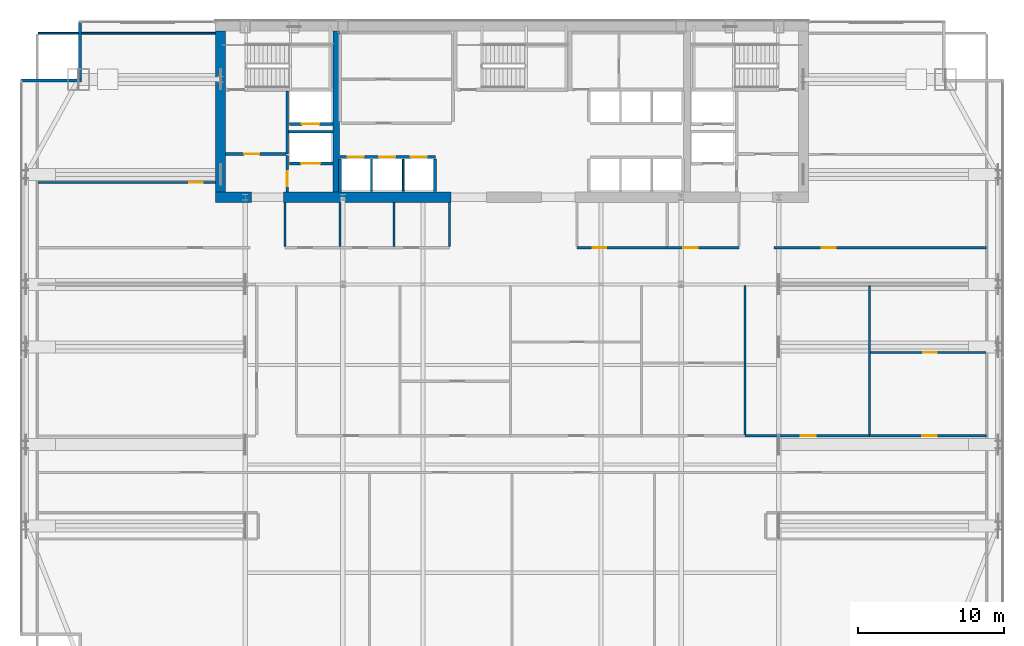
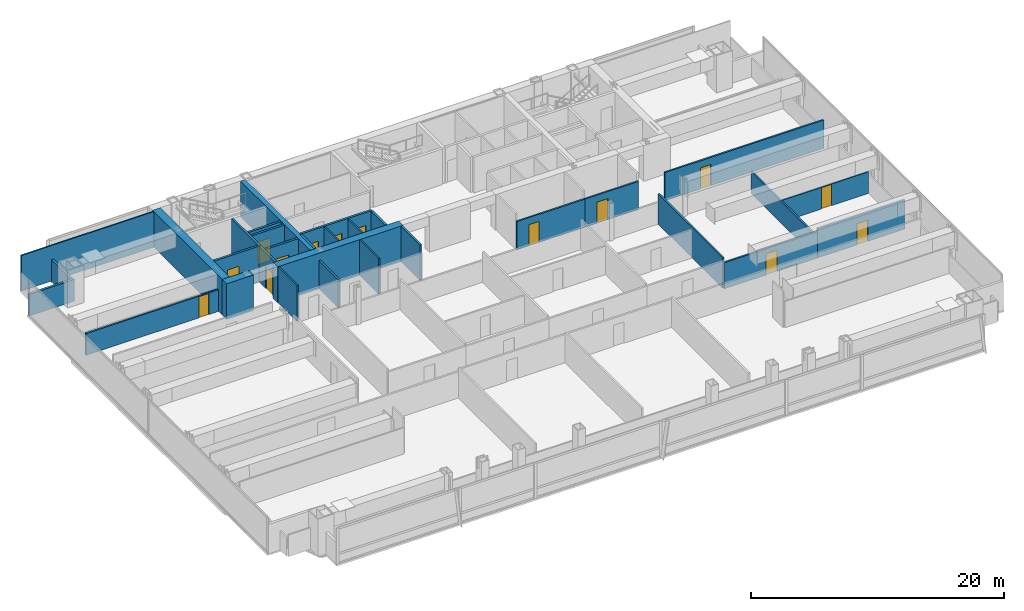
# One storey, part 26 of 30: 31 walls, 14 doors, 14 openings.
"""IFC4 building model written with IfcOpenShell, lengths in metres."""

from ifc_helpers import new_model, si_unit, direction, frame, frame_2d, origin, place, context, subcontext, project, spatial, rectangle, extrude, material, layer, layer_set, type_object, element, fill, save


model = new_model("IFC4")

# Units and contexts
model_context = context("Model", 3, precision=1e-05, world=origin(), true_north=direction((0.0, 1.0)))
body_context = subcontext(model_context, "Body", "Model", "MODEL_VIEW")
ifc_project = project(units=[si_unit("LENGTHUNIT", "METRE"), si_unit("AREAUNIT", "SQUARE_METRE"), si_unit("VOLUMEUNIT", "CUBIC_METRE"), si_unit("PLANEANGLEUNIT", "RADIAN"), si_unit("MASSUNIT", "GRAM", prefix="KILO")], contexts=[model_context])

# Site, building, storey
site_placement = place(None, origin())
site = spatial("IfcSite", under=ifc_project, at=site_placement, CompositionType="ELEMENT")
building_placement = place(site_placement, origin())
building = spatial("IfcBuilding", under=site, at=building_placement, Name="Khoronbel Lancet Exchange", CompositionType="ELEMENT")
storey_placement = place(building_placement, frame((0.0, 0.0, 132.60009765625)))
storey = spatial("IfcBuildingStorey", under=building, at=storey_placement, Name="L32", CompositionType="ELEMENT", Elevation=132.60009765625)

# Walls
ifc_material_1 = material(Name="Concrete C80/95", Category="concrete")
ifc_layer_1 = layer(ifc_material_1, 0.699951171875, Name="Concrete C80/95")
ifc_layer_set_1 = layer_set([ifc_layer_1], Name="Concrete C80/95")
wall_type_1 = type_object("IfcWallType", Name="WL-CW2", PredefinedType="SHEAR", material=ifc_layer_set_1)
wall_1_placement = place(storey_placement, frame((16.550048828125, 42.0, 0.0), z_axis=(0.0, 0.0, 1.0), x_axis=(0.0, 1.0, 0.0)))
element("IfcWall", 1, at=wall_1_placement, inside=storey, type_object=wall_type_1, Name="Level L32 rear core west shear wall", PredefinedType="SHEAR", context=body_context, shape_type="SweptSolid", body=[
    extrude(rectangle(XDim=11.0, YDim=0.699951171875, at=frame_2d((5.5, 0.0))), origin(), (0.0, 0.0, 1.0), 3.43994140625),
])
wall_2_placement = place(storey_placement, frame((18.64990234375, 41.64990234375, 0.0), z_axis=(0.0, 0.0, 1.0), x_axis=(-1.0, 0.0, 0.0)))
element("IfcWall", 2, at=wall_2_placement, inside=storey, type_object=wall_type_1, Name="Level L32 rear core south shear wall pier P1", PredefinedType="SHEAR", context=body_context, shape_type="SweptSolid", body=[
    extrude(rectangle(XDim=2.449951171875, YDim=0.699951171875, at=frame_2d((1.22509765625, 0.0))), origin(), (0.0, 0.0, 1.0), 3.43994140625),
])
wall_3_placement = place(storey_placement, frame((32.300048828125, 41.64990234375, 0.0), z_axis=(0.0, 0.0, 1.0), x_axis=(-1.0, 0.0, 0.0)))
element("IfcWall", 3, at=wall_3_placement, inside=storey, type_object=wall_type_1, Name="Level L32 rear core south shear wall pier P2", PredefinedType="SHEAR", context=body_context, shape_type="SweptSolid", body=[
    extrude(rectangle(XDim=11.449951171875, YDim=0.699951171875, at=frame_2d((5.72509765625, 0.0))), origin(), (0.0, 0.0, 1.0), 3.43994140625),
])
ifc_material_2 = material(Name="Precast concrete C40/50", Category="concrete")
ifc_layer_2 = layer(ifc_material_2, 0.25, Name="Precast concrete C40/50")
ifc_layer_set_2 = layer_set([ifc_layer_2], Name="Precast concrete C40/50")
wall_type_2 = type_object("IfcWallType", Name="WL-EXT250", PredefinedType="SOLIDWALL", material=ifc_layer_set_2)
wall_4_placement = place(storey_placement, frame((2.919921875, 49.610107421875, 0.0), z_axis=(0.0, 0.0, 1.0), x_axis=(1.0, 0.0, 0.0)))
element("IfcWall", 4, at=wall_4_placement, inside=storey, type_object=wall_type_2, Name="Level L32 notched-corner limestone pier 04", PredefinedType="SOLIDWALL", context=body_context, shape_type="SweptSolid", body=[
    extrude(rectangle(XDim=4.130126953125, YDim=0.219970703125, at=frame_2d((2.06494140625, 0.0))), origin(), (0.0, 0.0, 1.0), 2.08984375),
])
wall_5_placement = place(storey_placement, frame((6.93994140625, 49.719970703125, 0.0), z_axis=(0.0, 0.0, 1.0), x_axis=(0.0, 1.0, 0.0)))
element("IfcWall", 5, at=wall_5_placement, inside=storey, type_object=wall_type_2, Name="Level L32 notched-corner limestone pier 05", PredefinedType="SOLIDWALL", context=body_context, shape_type="SweptSolid", body=[
    extrude(rectangle(XDim=3.909912109375, YDim=0.219970703125, at=frame_2d((1.955078125, 0.0))), origin(), (0.0, 0.0, 1.0), 2.08984375),
])
ifc_material_3 = material(Name="Acoustic Metal-Stud & Mineral-Wool Gypsum Partition 120 mm", Category="gypsum")
ifc_layer_3 = layer(ifc_material_3, 0.1201171875, Name="Acoustic Metal-Stud & Mineral-Wool Gypsum Partition 120 mm")
ifc_layer_set_3 = layer_set([ifc_layer_3], Name="Acoustic Metal-Stud & Mineral-Wool Gypsum Partition 120 mm")
wall_type_3 = type_object("IfcWallType", Name="WL-PRT120", PredefinedType="PARTITIONING", material=ifc_layer_set_3)
wall_6_placement = place(storey_placement, frame((20.949951171875, 38.280029296875, 0.0), z_axis=(0.0, 0.0, 1.0), x_axis=(0.0, 1.0, 0.0)))
element("IfcWall", 6, at=wall_6_placement, inside=storey, type_object=wall_type_3, Name="Level L32 interior partition PW-WC-0", PredefinedType="PARTITIONING", context=body_context, shape_type="SweptSolid", body=[
    extrude(rectangle(XDim=3.02001953125, YDim=0.14990234375, at=frame_2d((1.510009765625, 0.0))), origin(), (0.0, 0.0, 1.0), 3.43994140625),
])
wall_7_placement = place(storey_placement, frame((24.699951171875, 38.280029296875, 0.0), z_axis=(0.0, 0.0, 1.0), x_axis=(0.0, 1.0, 0.0)))
element("IfcWall", 7, at=wall_7_placement, inside=storey, type_object=wall_type_3, Name="Level L32 interior partition PW-WC-1", PredefinedType="PARTITIONING", context=body_context, shape_type="SweptSolid", body=[
    extrude(rectangle(XDim=3.02001953125, YDim=0.14990234375, at=frame_2d((1.510009765625, 0.0))), origin(), (0.0, 0.0, 1.0), 2.72998046875),
])
for number, where, z_axis, x_axis, name in (
    (8, (28.39990234375, 38.280029296875, 0.0), (0.0, 0.0, 1.0), (0.0, 1.0, 0.0), "Level L32 interior partition PW-WC-2"),
    (9, (32.179931640625, 38.280029296875, 0.0), (0.0, 0.0, 1.0), (0.0, 1.0, 0.0), "Level L32 interior partition PW-WC-3"),
):
    element("IfcWall", number, at=place(storey_placement, frame(where, z_axis=z_axis, x_axis=x_axis)), inside=storey, type_object=wall_type_3, Name=name, PredefinedType="PARTITIONING", context=body_context, shape_type="SweptSolid", body=[
        extrude(rectangle(XDim=3.02001953125, YDim=0.14990234375, at=frame_2d((1.510009765625, 0.0))), origin(), (0.0, 0.0, 1.0), 3.43994140625),
    ])

# Wall, opening, door
wall_8_placement = place(storey_placement, frame((4.094970703125, 42.64990234375, 0.0), z_axis=(0.0, 0.0, 1.0), x_axis=(1.0, 0.0, 0.0)))
wall_8 = element("IfcWall", 10, at=wall_8_placement, inside=storey, type_object=wall_type_3, Name="Level L32 interior partition PW-NW-H", PredefinedType="PARTITIONING", context=body_context, shape_type="SweptSolid", body=[
    extrude(rectangle(XDim=12.10498046875, YDim=0.14990234375, at=frame_2d((6.052490234375, 0.0))), origin(), (0.0, 0.0, 1.0), 2.08984375),
])
opening_1_placement = place(wall_8_placement, frame((10.320068359375, 0.0, 0.0)))
opening_1 = element("IfcOpeningElement", 11, at=opening_1_placement, cuts=wall_8, Name="Opening D5", PredefinedType="OPENING", context=body_context, shape_type="SweptSolid", body=[
    extrude(rectangle(XDim=0.89990234375, YDim=2.050048828125, at=frame_2d((0.449951171875, 1.02490234375))), frame((0.0, 0.0849609375, 0.0), z_axis=(0.0, -1.0, 0.0), x_axis=(1.0, 0.0, 0.0)), (0.0, 0.0, 1.0), 0.169921875),
])
ifc_material_4 = material(Name="Acoustic Timber Pantry & Support Door", Category="wood")
door_type_1 = type_object("IfcDoorType", Name="DR-D5", OperationType="NOTDEFINED", PredefinedType="DOOR", material=ifc_material_4)
door_1_placement = place(opening_1_placement, origin())
door_1 = element("IfcDoor", 12, at=door_1_placement, inside=storey, type_object=door_type_1, Name="NW north room door L32-1", OperationType="SINGLE_SWING_RIGHT", OverallHeight=2.050048828125, OverallWidth=0.89990234375, PredefinedType="DOOR", context=body_context, shape_type="SweptSolid", body=[
    extrude(rectangle(XDim=0.89990234375, YDim=2.050048828125, at=frame_2d((0.449951171875, 1.02490234375))), frame((0.0, 0.02490234375, 0.0), z_axis=(0.0, -1.0, 0.0), x_axis=(1.0, 0.0, 0.0)), (0.0, 0.0, 1.0), 0.050048828125),
])
fill(opening_1, door_1)

wall_9_placement = place(storey_placement, frame((60.936279296875, 31.04248046875, 0.0), z_axis=(0.0, 0.0, 1.0), x_axis=(1.0, 0.0, 0.0)))
wall_9 = element("IfcWall", 13, at=wall_9_placement, inside=storey, type_object=wall_type_3, Name="Level L32 interior partition PW-Z2N-H6", PredefinedType="PARTITIONING", context=body_context, shape_type="SweptSolid", body=[
    extrude(rectangle(XDim=7.86865234375, YDim=0.14990234375, at=frame_2d((3.934326171875, 0.0))), origin(), (0.0, 0.0, 1.0), 2.08984375),
])
opening_2_placement = place(wall_9_placement, frame((3.606201171875, 0.0, 0.0)))
opening_2 = element("IfcOpeningElement", 14, at=opening_2_placement, cuts=wall_9, Name="Opening D5", PredefinedType="OPENING", context=body_context, shape_type="SweptSolid", body=[
    extrude(rectangle(XDim=0.89990234375, YDim=2.050048828125, at=frame_2d((0.449951171875, 1.02490234375))), frame((0.0, 0.0849609375, 0.0), z_axis=(0.0, -1.0, 0.0), x_axis=(1.0, 0.0, 0.0)), (0.0, 0.0, 1.0), 0.169921875),
])
door_2_placement = place(opening_2_placement, origin())
door_2 = element("IfcDoor", 15, at=door_2_placement, inside=storey, type_object=door_type_1, Name="Z2N inner door 6 L32-1", OperationType="SINGLE_SWING_RIGHT", OverallHeight=2.050048828125, OverallWidth=0.89990234375, PredefinedType="DOOR", context=body_context, shape_type="SweptSolid", body=[
    extrude(rectangle(XDim=0.89990234375, YDim=2.050048828125, at=frame_2d((0.449951171875, 1.02490234375))), frame((0.0, 0.02490234375, 0.0), z_axis=(0.0, -1.0, 0.0), x_axis=(1.0, 0.0, 0.0)), (0.0, 0.0, 1.0), 0.050048828125),
])
fill(opening_2, door_2)

# Walls
wall_10_placement = place(storey_placement, frame((4.094970703125, 52.840087890625, 0.0), z_axis=(0.0, 0.0, 1.0), x_axis=(1.0, 0.0, 0.0)))
element("IfcWall", 16, at=wall_10_placement, inside=storey, type_object=wall_type_3, Name="Level L32 interior partition PW-LIN-NW", PredefinedType="PARTITIONING", context=body_context, shape_type="SweptSolid", body=[
    extrude(rectangle(XDim=12.10498046875, YDim=0.1201171875, at=frame_2d((6.052490234375, 0.0))), origin(), (0.0, 0.0, 1.0), 3.43994140625),
])
ifc_material_5 = material(Name="Fire-Rated Metal-Stud & Mineral-Wool Gypsum Partition 120 mm", Category="gypsum")
ifc_layer_4 = layer(ifc_material_5, 0.1201171875, Name="Fire-Rated Metal-Stud & Mineral-Wool Gypsum Partition 120 mm")
ifc_layer_set_4 = layer_set([ifc_layer_4], Name="Fire-Rated Metal-Stud & Mineral-Wool Gypsum Partition 120 mm")
wall_type_4 = type_object("IfcWallType", Name="WL-PRT120F", PredefinedType="PARTITIONING", material=ifc_layer_set_4)
for number, where, z_axis, x_axis, name in (
    (17, (26.860107421875, 42.050048828125, 0.0), (0.0, 0.0, 1.0), (0.0, 1.0, 0.0), "Level L32 interior partition CW-PM-D1"),
    (18, (29.02001953125, 42.050048828125, 0.0), (0.0, 0.0, 1.0), (0.0, 1.0, 0.0), "Level L32 interior partition CW-PM-D2"),
):
    element("IfcWall", number, at=place(storey_placement, frame(where, z_axis=z_axis, x_axis=x_axis)), inside=storey, type_object=wall_type_4, Name=name, PredefinedType="PARTITIONING", context=body_context, shape_type="SweptSolid", body=[
        extrude(rectangle(XDim=2.199951171875, YDim=0.1201171875, at=frame_2d((1.10009765625, 0.0))), origin(), (0.0, 0.0, 1.0), 3.43994140625),
    ])

# Wall, opening, door
ifc_material_6 = material(Name="Fire-Rated Twin-Stud Acoustic Gypsum Partition 150 mm", Category="gypsum")
ifc_layer_5 = layer(ifc_material_6, 0.14990234375, Name="Fire-Rated Twin-Stud Acoustic Gypsum Partition 150 mm")
ifc_layer_set_5 = layer_set([ifc_layer_5], Name="Fire-Rated Twin-Stud Acoustic Gypsum Partition 150 mm")
wall_type_5 = type_object("IfcWallType", Name="WL-PRT150C", PredefinedType="PARTITIONING", material=ifc_layer_set_5)
wall_11_placement = place(storey_placement, frame((40.8798828125, 38.199951171875, 0.0), z_axis=(0.0, 0.0, 1.0), x_axis=(1.0, 0.0, 0.0)))
wall_11 = element("IfcWall", 19, at=wall_11_placement, inside=storey, type_object=wall_type_5, Name="Level L32 interior partition PW-NP-S1", PredefinedType="PARTITIONING", context=body_context, shape_type="SweptSolid", body=[
    extrude(rectangle(XDim=6.170166015625, YDim=0.14990234375, at=frame_2d((3.0849609375, 0.0))), origin(), (0.0, 0.0, 1.0), 2.72998046875),
])
opening_3_placement = place(wall_11_placement, frame((1.10009765625, 0.0, 0.0)))
opening_3 = element("IfcOpeningElement", 20, at=opening_3_placement, cuts=wall_11, Name="Opening D5", PredefinedType="OPENING", context=body_context, shape_type="SweptSolid", body=[
    extrude(rectangle(XDim=0.89990234375, YDim=2.050048828125, at=frame_2d((0.449951171875, 1.02490234375))), frame((0.0, 0.0849609375, 0.0), z_axis=(0.0, -1.0, 0.0), x_axis=(1.0, 0.0, 0.0)), (0.0, 0.0, 1.0), 0.169921875),
])
door_3_placement = place(opening_3_placement, origin())
door_3 = element("IfcDoor", 21, at=door_3_placement, inside=storey, type_object=door_type_1, Name="Floor refreshment pantry door L32-1", OperationType="SINGLE_SWING_RIGHT", OverallHeight=2.050048828125, OverallWidth=0.89990234375, PredefinedType="DOOR", context=body_context, shape_type="SweptSolid", body=[
    extrude(rectangle(XDim=0.89990234375, YDim=2.050048828125, at=frame_2d((0.449951171875, 1.02490234375))), frame((0.0, 0.02490234375, 0.0), z_axis=(0.0, -1.0, 0.0), x_axis=(1.0, 0.0, 0.0)), (0.0, 0.0, 1.0), 0.050048828125),
])
fill(opening_3, door_3)

wall_12_placement = place(storey_placement, frame((47.050048828125, 38.199951171875, 0.0), z_axis=(0.0, 0.0, 1.0), x_axis=(1.0, 0.0, 0.0)))
wall_12 = element("IfcWall", 22, at=wall_12_placement, inside=storey, type_object=wall_type_5, Name="Level L32 interior partition PW-NP-S2", PredefinedType="PARTITIONING", context=body_context, shape_type="SweptSolid", body=[
    extrude(rectangle(XDim=4.89990234375, YDim=0.14990234375, at=frame_2d((2.449951171875, 0.0))), origin(), (0.0, 0.0, 1.0), 2.72998046875),
])
opening_4_placement = place(wall_12_placement, frame((1.10009765625, 0.0, 0.0)))
opening_4 = element("IfcOpeningElement", 23, at=opening_4_placement, cuts=wall_12, Name="Opening D2", PredefinedType="OPENING", context=body_context, shape_type="SweptSolid", body=[
    extrude(rectangle(XDim=1.0, YDim=2.050048828125, at=frame_2d((0.5, 1.02490234375))), frame((0.0, 0.0849609375, 0.0), z_axis=(0.0, -1.0, 0.0), x_axis=(1.0, 0.0, 0.0)), (0.0, 0.0, 1.0), 0.169921875),
])
ifc_material_7 = material(Name="Acoustic Veneered Timber & Bronze Frame Door", Category="wood")
door_type_2 = type_object("IfcDoorType", Name="DR-D2", OperationType="NOTDEFINED", PredefinedType="DOOR", material=ifc_material_7)
door_4_placement = place(opening_4_placement, origin())
door_4 = element("IfcDoor", 24, at=door_4_placement, inside=storey, type_object=door_type_2, Name="Floor store door L32-1", OperationType="SINGLE_SWING_LEFT", OverallHeight=2.050048828125, OverallWidth=1.0, PredefinedType="DOOR", context=body_context, shape_type="SweptSolid", body=[
    extrude(rectangle(XDim=1.0, YDim=2.050048828125, at=frame_2d((0.5, 1.02490234375))), frame((0.0, 0.02490234375, 0.0), z_axis=(0.0, -1.0, 0.0), x_axis=(1.0, 0.0, 0.0)), (0.0, 0.0, 1.0), 0.050048828125),
])
fill(opening_4, door_4)

wall_13_placement = place(storey_placement, frame((54.35009765625, 38.199951171875, 0.0), z_axis=(0.0, 0.0, 1.0), x_axis=(1.0, 0.0, 0.0)))
wall_13 = element("IfcWall", 25, at=wall_13_placement, inside=storey, type_object=wall_type_5, Name="Level L32 interior partition PW-NE-S", PredefinedType="PARTITIONING", context=body_context, shape_type="SweptSolid", body=[
    extrude(rectangle(XDim=14.52001953125, YDim=0.14990234375, at=frame_2d((7.260009765625, 0.0))), origin(), (0.0, 0.0, 1.0), 2.72998046875),
])
opening_5_placement = place(wall_13_placement, frame((3.25, 0.0, 0.0)))
opening_5 = element("IfcOpeningElement", 26, at=opening_5_placement, cuts=wall_13, Name="Opening D1", PredefinedType="OPENING", context=body_context, shape_type="SweptSolid", body=[
    extrude(rectangle(XDim=0.949951171875, YDim=2.050048828125, at=frame_2d((0.47509765625, 1.02490234375))), frame((0.0, 0.0849609375, 0.0), z_axis=(0.0, -1.0, 0.0), x_axis=(1.0, 0.0, 0.0)), (0.0, 0.0, 1.0), 0.169921875),
])
door_type_3 = type_object("IfcDoorType", Name="DR-D1", OperationType="NOTDEFINED", PredefinedType="DOOR", material=ifc_material_7)
door_5_placement = place(opening_5_placement, origin())
door_5 = element("IfcDoor", 27, at=door_5_placement, inside=storey, type_object=door_type_3, Name="NE corner room door L32-1", OperationType="SINGLE_SWING_LEFT", OverallHeight=2.050048828125, OverallWidth=0.949951171875, PredefinedType="DOOR", context=body_context, shape_type="SweptSolid", body=[
    extrude(rectangle(XDim=0.949951171875, YDim=2.050048828125, at=frame_2d((0.47509765625, 1.02490234375))), frame((0.0, 0.02490234375, 0.0), z_axis=(0.0, -1.0, 0.0), x_axis=(1.0, 0.0, 0.0)), (0.0, 0.0, 1.0), 0.050048828125),
])
fill(opening_5, door_5)

# Walls
wall_14_placement = place(storey_placement, frame((52.37109375, 25.43505859375, 0.0), z_axis=(0.0, 0.0, 1.0), x_axis=(0.0, 1.0, 0.0)))
element("IfcWall", 28, at=wall_14_placement, inside=storey, type_object=wall_type_5, Name="Level L32 interior partition PW-Z2N-V4", PredefinedType="PARTITIONING", context=body_context, shape_type="SweptSolid", body=[
    extrude(rectangle(XDim=10.18505859375, YDim=0.14990234375, at=frame_2d((5.092529296875, 0.0))), origin(), (0.0, 0.0, 1.0), 2.929931640625),
])
wall_15_placement = place(storey_placement, frame((60.856201171875, 25.43505859375, 0.0), z_axis=(0.0, 0.0, 1.0), x_axis=(0.0, 1.0, 0.0)))
element("IfcWall", 29, at=wall_15_placement, inside=storey, type_object=wall_type_5, Name="Level L32 interior partition PW-Z2N-V5", PredefinedType="PARTITIONING", context=body_context, shape_type="SweptSolid", body=[
    extrude(rectangle(XDim=10.18505859375, YDim=0.14990234375, at=frame_2d((5.092529296875, 0.0))), origin(), (0.0, 0.0, 1.0), 2.10986328125),
])

# Wall, opening, door
ifc_material_8 = material(Name="Fire-Rated Twin-Stud Acoustic Gypsum Partition 160 mm", Category="gypsum")
ifc_layer_6 = layer(ifc_material_8, 0.159912109375, Name="Fire-Rated Twin-Stud Acoustic Gypsum Partition 160 mm")
ifc_layer_set_6 = layer_set([ifc_layer_6], Name="Fire-Rated Twin-Stud Acoustic Gypsum Partition 160 mm")
wall_type_6 = type_object("IfcWallType", Name="WL-PRT160C", PredefinedType="PARTITIONING", material=ifc_layer_set_6)
wall_16_placement = place(storey_placement, frame((52.37109375, 25.35009765625, 0.0), z_axis=(0.0, 0.0, 1.0), x_axis=(1.0, 0.0, 0.0)))
wall_16 = element("IfcWall", 30, at=wall_16_placement, inside=storey, type_object=wall_type_6, Name="Level L32 interior partition PW-Z2N-COR5", PredefinedType="PARTITIONING", context=body_context, shape_type="SweptSolid", body=[
    extrude(rectangle(XDim=8.485107421875, YDim=0.159912109375, at=frame_2d((4.24267578125, 0.0))), origin(), (0.0, 0.0, 1.0), 2.52978515625),
])
opening_6_placement = place(wall_16_placement, frame((3.813720703125, 0.0, 0.0)))
opening_6 = element("IfcOpeningElement", 31, at=opening_6_placement, cuts=wall_16, Name="Opening D2", PredefinedType="OPENING", context=body_context, shape_type="SweptSolid", body=[
    extrude(rectangle(XDim=1.0, YDim=2.050048828125, at=frame_2d((0.5, 1.02490234375))), frame((0.0, 0.08984375, 0.0), z_axis=(0.0, -1.0, 0.0), x_axis=(1.0, 0.0, 0.0)), (0.0, 0.0, 1.0), 0.179931640625),
])
door_6_placement = place(opening_6_placement, origin())
door_6 = element("IfcDoor", 32, at=door_6_placement, inside=storey, type_object=door_type_2, Name="Z2N bay 5 door L32-1", OperationType="SINGLE_SWING_RIGHT", OverallHeight=2.050048828125, OverallWidth=1.0, PredefinedType="DOOR", context=body_context, shape_type="SweptSolid", body=[
    extrude(rectangle(XDim=1.0, YDim=2.050048828125, at=frame_2d((0.5, 1.02490234375))), frame((0.0, 0.02490234375, 0.0), z_axis=(0.0, -1.0, 0.0), x_axis=(1.0, 0.0, 0.0)), (0.0, 0.0, 1.0), 0.050048828125),
])
fill(opening_6, door_6)

wall_17_placement = place(storey_placement, frame((60.856201171875, 25.35009765625, 0.0), z_axis=(0.0, 0.0, 1.0), x_axis=(1.0, 0.0, 0.0)))
wall_17 = element("IfcWall", 33, at=wall_17_placement, inside=storey, type_object=wall_type_6, Name="Level L32 interior partition PW-Z2N-COR6", PredefinedType="PARTITIONING", context=body_context, shape_type="SweptSolid", body=[
    extrude(rectangle(XDim=8.013916015625, YDim=0.159912109375, at=frame_2d((4.0068359375, 0.0))), origin(), (0.0, 0.0, 1.0), 2.829833984375),
])
opening_7_placement = place(wall_17_placement, frame((3.61572265625, 0.0, 0.0)))
opening_7 = element("IfcOpeningElement", 34, at=opening_7_placement, cuts=wall_17, Name="Opening D2", PredefinedType="OPENING", context=body_context, shape_type="SweptSolid", body=[
    extrude(rectangle(XDim=1.0, YDim=2.050048828125, at=frame_2d((0.5, 1.02490234375))), frame((0.0, 0.08984375, 0.0), z_axis=(0.0, -1.0, 0.0), x_axis=(1.0, 0.0, 0.0)), (0.0, 0.0, 1.0), 0.179931640625),
])
door_7_placement = place(opening_7_placement, origin())
door_7 = element("IfcDoor", 35, at=door_7_placement, inside=storey, type_object=door_type_2, Name="Z2N bay 6 door L32-1", OperationType="SINGLE_SWING_LEFT", OverallHeight=2.050048828125, OverallWidth=1.0, PredefinedType="DOOR", context=body_context, shape_type="SweptSolid", body=[
    extrude(rectangle(XDim=1.0, YDim=2.050048828125, at=frame_2d((0.5, 1.02490234375))), frame((0.0, 0.02490234375, 0.0), z_axis=(0.0, -1.0, 0.0), x_axis=(1.0, 0.0, 0.0)), (0.0, 0.0, 1.0), 0.050048828125),
])
fill(opening_7, door_7)

# Wall, openings, doors
ifc_material_9 = material(Name="Autoclaved Aerated Concrete Blockwork 200 mm", Category="masonry")
ifc_layer_7 = layer(ifc_material_9, 0.199951171875, Name="Autoclaved Aerated Concrete Blockwork 200 mm")
ifc_layer_set_7 = layer_set([ifc_layer_7], Name="Autoclaved Aerated Concrete Blockwork 200 mm")
wall_type_7 = type_object("IfcWallType", Name="WL-PRT200", PredefinedType="PARTITIONING", material=ifc_layer_set_7)
wall_18_placement = place(storey_placement, frame((24.68994140625, 44.39990234375, 0.0), z_axis=(0.0, 0.0, 1.0), x_axis=(1.0, 0.0, 0.0)))
wall_18 = element("IfcWall", 36, at=wall_18_placement, inside=storey, type_object=wall_type_7, Name="Level L32 elevator hoistway landing front wall PMW", PredefinedType="PARTITIONING", context=body_context, shape_type="SweptSolid", body=[
    extrude(rectangle(XDim=6.530029296875, YDim=0.199951171875, at=frame_2d((3.26513671875, 0.0))), origin(), (0.0, 0.0, 1.0), 3.43994140625),
])
opening_8_placement = place(wall_18_placement, frame((0.530029296875, 0.0, 0.0)))
opening_8 = element("IfcOpeningElement", 37, at=opening_8_placement, cuts=wall_18, Name="Opening LD-PM1", PredefinedType="OPENING", context=body_context, shape_type="SweptSolid", body=[
    extrude(rectangle(XDim=1.10009765625, YDim=2.179931640625, at=frame_2d((0.550048828125, 1.08984375))), frame((0.0, 0.10986328125, 0.0), z_axis=(0.0, -1.0, 0.0), x_axis=(1.0, 0.0, 0.0)), (0.0, 0.0, 1.0), 0.219970703125),
])
opening_9_placement = place(wall_18_placement, frame((2.68994140625, 0.0, 0.0)))
opening_9 = element("IfcOpeningElement", 38, at=opening_9_placement, cuts=wall_18, Name="Opening LD-PM2", PredefinedType="OPENING", context=body_context, shape_type="SweptSolid", body=[
    extrude(rectangle(XDim=1.10009765625, YDim=2.179931640625, at=frame_2d((0.550048828125, 1.08984375))), frame((0.0, 0.10986328125, 0.0), z_axis=(0.0, -1.0, 0.0), x_axis=(1.0, 0.0, 0.0)), (0.0, 0.0, 1.0), 0.219970703125),
])
opening_10_placement = place(wall_18_placement, frame((4.85009765625, 0.0, 0.0)))
opening_10 = element("IfcOpeningElement", 39, at=opening_10_placement, cuts=wall_18, Name="Opening LD-PM3", PredefinedType="OPENING", context=body_context, shape_type="SweptSolid", body=[
    extrude(rectangle(XDim=1.10009765625, YDim=2.179931640625, at=frame_2d((0.550048828125, 1.08984375))), frame((0.0, 0.10986328125, 0.0), z_axis=(0.0, -1.0, 0.0), x_axis=(1.0, 0.0, 0.0)), (0.0, 0.0, 1.0), 0.219970703125),
])
ifc_material_10 = material(Name="Brushed Bronze Bi-Parting Elevator Landing Door", Category="steel")
door_type_4 = type_object("IfcDoorType", Name="DR-LD-PAX", OperationType="NOTDEFINED", PredefinedType="DOOR", material=ifc_material_10)
door_8_placement = place(opening_8_placement, origin())
door_8 = element("IfcDoor", 40, at=door_8_placement, inside=storey, type_object=door_type_4, Name="Elevator landing sliding door LD-PM1 L32", OperationType="SLIDING_TO_LEFT", OverallHeight=2.179931640625, OverallWidth=1.10009765625, PredefinedType="DOOR", context=body_context, shape_type="SweptSolid", body=[
    extrude(rectangle(XDim=1.10009765625, YDim=2.179931640625, at=frame_2d((0.550048828125, 1.08984375))), frame((0.0, 0.02490234375, 0.0), z_axis=(0.0, -1.0, 0.0), x_axis=(1.0, 0.0, 0.0)), (0.0, 0.0, 1.0), 0.050048828125),
])
fill(opening_8, door_8)
door_9_placement = place(opening_9_placement, origin())
door_9 = element("IfcDoor", 41, at=door_9_placement, inside=storey, type_object=door_type_4, Name="Elevator landing sliding door LD-PM2 L32", OperationType="SLIDING_TO_LEFT", OverallHeight=2.179931640625, OverallWidth=1.10009765625, PredefinedType="DOOR", context=body_context, shape_type="SweptSolid", body=[
    extrude(rectangle(XDim=1.10009765625, YDim=2.179931640625, at=frame_2d((0.550048828125, 1.08984375))), frame((0.0, 0.02490234375, 0.0), z_axis=(0.0, -1.0, 0.0), x_axis=(1.0, 0.0, 0.0)), (0.0, 0.0, 1.0), 0.050048828125),
])
fill(opening_9, door_9)
door_10_placement = place(opening_10_placement, origin())
door_10 = element("IfcDoor", 42, at=door_10_placement, inside=storey, type_object=door_type_4, Name="Elevator landing sliding door LD-PM3 L32", OperationType="SLIDING_TO_LEFT", OverallHeight=2.179931640625, OverallWidth=1.10009765625, PredefinedType="DOOR", context=body_context, shape_type="SweptSolid", body=[
    extrude(rectangle(XDim=1.10009765625, YDim=2.179931640625, at=frame_2d((0.550048828125, 1.08984375))), frame((0.0, 0.02490234375, 0.0), z_axis=(0.0, -1.0, 0.0), x_axis=(1.0, 0.0, 0.0)), (0.0, 0.0, 1.0), 0.050048828125),
])
fill(opening_10, door_10)

# Wall, opening, door
wall_19_placement = place(storey_placement, frame((24.2099609375, 43.949951171875, 0.0), z_axis=(0.0, 0.0, 1.0), x_axis=(-1.0, 0.0, 0.0)))
wall_19 = element("IfcWall", 43, at=wall_19_placement, inside=storey, type_object=wall_type_7, Name="Level L32 elevator hoistway landing front wall SVLW", PredefinedType="PARTITIONING", context=body_context, shape_type="SweptSolid", body=[
    extrude(rectangle(XDim=2.969970703125, YDim=0.199951171875, at=frame_2d((1.48486328125, 0.0))), origin(), (0.0, 0.0, 1.0), 3.43994140625),
])
opening_11_placement = place(wall_19_placement, frame((0.860107421875, 0.0, 0.0)))
opening_11 = element("IfcOpeningElement", 44, at=opening_11_placement, cuts=wall_19, Name="Opening LD-SVL1", PredefinedType="OPENING", context=body_context, shape_type="SweptSolid", body=[
    extrude(rectangle(XDim=1.300048828125, YDim=2.179931640625, at=frame_2d((0.64990234375, 1.08984375))), frame((0.0, 0.10986328125, 0.0), z_axis=(0.0, -1.0, 0.0), x_axis=(1.0, 0.0, 0.0)), (0.0, 0.0, 1.0), 0.219970703125),
])
ifc_material_11 = material(Name="Heavy-Duty Bi-Parting Goods Lift Landing Door", Category="steel")
door_type_5 = type_object("IfcDoorType", Name="DR-LD-SVL", OperationType="NOTDEFINED", PredefinedType="DOOR", material=ifc_material_11)
door_11_placement = place(opening_11_placement, origin())
door_11 = element("IfcDoor", 45, at=door_11_placement, inside=storey, type_object=door_type_5, Name="Elevator landing sliding door LD-SVL1 L32", OperationType="SLIDING_TO_LEFT", OverallHeight=2.179931640625, OverallWidth=1.300048828125, PredefinedType="DOOR", context=body_context, shape_type="SweptSolid", body=[
    extrude(rectangle(XDim=1.300048828125, YDim=2.179931640625, at=frame_2d((0.64990234375, 1.08984375))), frame((0.0, 0.02490234375, 0.0), z_axis=(0.0, -1.0, 0.0), x_axis=(1.0, 0.0, 0.0)), (0.0, 0.0, 1.0), 0.050048828125),
])
fill(opening_11, door_11)

wall_20_placement = place(storey_placement, frame((24.2099609375, 46.64990234375, 0.0), z_axis=(0.0, 0.0, 1.0), x_axis=(-1.0, 0.0, 0.0)))
wall_20 = element("IfcWall", 46, at=wall_20_placement, inside=storey, type_object=wall_type_7, Name="Level L32 elevator hoistway landing front wall FFLW", PredefinedType="PARTITIONING", context=body_context, shape_type="SweptSolid", body=[
    extrude(rectangle(XDim=2.969970703125, YDim=0.199951171875, at=frame_2d((1.48486328125, 0.0))), origin(), (0.0, 0.0, 1.0), 3.43994140625),
])
opening_12_placement = place(wall_20_placement, frame((0.909912109375, 0.0, 0.0)))
opening_12 = element("IfcOpeningElement", 47, at=opening_12_placement, cuts=wall_20, Name="Opening LD-FFL1", PredefinedType="OPENING", context=body_context, shape_type="SweptSolid", body=[
    extrude(rectangle(XDim=1.199951171875, YDim=2.179931640625, at=frame_2d((0.60009765625, 1.08984375))), frame((0.0, 0.10986328125, 0.0), z_axis=(0.0, -1.0, 0.0), x_axis=(1.0, 0.0, 0.0)), (0.0, 0.0, 1.0), 0.219970703125),
])
ifc_material_12 = material(Name="Fire-Rated Stainless Bi-Parting Firefighting Lift Door", Category="steel")
door_type_6 = type_object("IfcDoorType", Name="DR-LD-FFL", OperationType="NOTDEFINED", PredefinedType="DOOR", material=ifc_material_12)
door_12_placement = place(opening_12_placement, origin())
door_12 = element("IfcDoor", 48, at=door_12_placement, inside=storey, type_object=door_type_6, Name="Elevator landing sliding door LD-FFL1 L32", OperationType="SLIDING_TO_LEFT", OverallHeight=2.179931640625, OverallWidth=1.199951171875, PredefinedType="DOOR", context=body_context, shape_type="SweptSolid", body=[
    extrude(rectangle(XDim=1.199951171875, YDim=2.179931640625, at=frame_2d((0.60009765625, 1.08984375))), frame((0.0, 0.02490234375, 0.0), z_axis=(0.0, -1.0, 0.0), x_axis=(1.0, 0.0, 0.0)), (0.0, 0.0, 1.0), 0.050048828125),
])
fill(opening_12, door_12)

# Wall
wall_21_placement = place(storey_placement, frame((21.10009765625, 44.60009765625, 0.0), z_axis=(0.0, 0.0, 1.0), x_axis=(0.0, 1.0, 0.0)))
element("IfcWall", 49, at=wall_21_placement, inside=storey, type_object=wall_type_7, Name="Level L32 interior partition CW-FFLW-E", PredefinedType="PARTITIONING", context=body_context, shape_type="SweptSolid", body=[
    extrude(rectangle(XDim=4.2998046875, YDim=0.199951171875, at=frame_2d((2.14990234375, 0.0))), origin(), (0.0, 0.0, 1.0), 3.43994140625),
])

# Wall, opening, door
wall_22_placement = place(storey_placement, frame((16.89990234375, 44.60009765625, 0.0), z_axis=(0.0, 0.0, 1.0), x_axis=(1.0, 0.0, 0.0)))
wall_22 = element("IfcWall", 50, at=wall_22_placement, inside=storey, type_object=wall_type_7, Name="Level L32 interior partition CW-FFLW-S", PredefinedType="PARTITIONING", context=body_context, shape_type="SweptSolid", body=[
    extrude(rectangle(XDim=4.10009765625, YDim=0.199951171875, at=frame_2d((2.050048828125, 0.0))), origin(), (0.0, 0.0, 1.0), 3.43994140625),
])
opening_13_placement = place(wall_22_placement, frame((1.25, 0.0, 0.0)))
opening_13 = element("IfcOpeningElement", 51, at=opening_13_placement, cuts=wall_22, Name="Opening FD1", PredefinedType="OPENING", context=body_context, shape_type="SweptSolid", body=[
    extrude(rectangle(XDim=1.050048828125, YDim=2.14990234375, at=frame_2d((0.52490234375, 1.074951171875))), frame((0.0, 0.10986328125, 0.0), z_axis=(0.0, -1.0, 0.0), x_axis=(1.0, 0.0, 0.0)), (0.0, 0.0, 1.0), 0.219970703125),
])
ifc_material_13 = material(Name="Fire-Rated Painted Steel Door Assembly", Category="steel")
door_type_7 = type_object("IfcDoorType", Name="DR-FD1", OperationType="NOTDEFINED", PredefinedType="DOOR", material=ifc_material_13)
door_13_placement = place(opening_13_placement, origin())
door_13 = element("IfcDoor", 52, at=door_13_placement, inside=storey, type_object=door_type_7, Name="West firefighting lobby FD90S door L32-1", OperationType="SINGLE_SWING_LEFT", OverallHeight=2.14990234375, OverallWidth=1.050048828125, PredefinedType="DOOR", context=body_context, shape_type="SweptSolid", body=[
    extrude(rectangle(XDim=1.050048828125, YDim=2.14990234375, at=frame_2d((0.52490234375, 1.074951171875))), frame((0.0, 0.02490234375, 0.0), z_axis=(0.0, -1.0, 0.0), x_axis=(1.0, 0.0, 0.0)), (0.0, 0.0, 1.0), 0.050048828125),
])
fill(opening_13, door_13)

# Wall
wall_23_placement = place(storey_placement, frame((21.199951171875, 46.1201171875, 0.0), z_axis=(0.0, 0.0, 1.0), x_axis=(1.0, 0.0, 0.0)))
element("IfcWall", 53, at=wall_23_placement, inside=storey, type_object=wall_type_7, Name="Level L32 interior partition CW-FFL1-S", PredefinedType="PARTITIONING", context=body_context, shape_type="SweptSolid", body=[
    extrude(rectangle(XDim=3.02001953125, YDim=0.199951171875, at=frame_2d((1.510009765625, 0.0))), origin(), (0.0, 0.0, 1.0), 3.43994140625),
])

# Wall, opening, door
wall_24_placement = place(storey_placement, frame((21.10009765625, 42.0, 0.0), z_axis=(0.0, 0.0, 1.0), x_axis=(0.0, 1.0, 0.0)))
wall_24 = element("IfcWall", 54, at=wall_24_placement, inside=storey, type_object=wall_type_7, Name="Level L32 interior partition CW-SVLW-W", PredefinedType="PARTITIONING", context=body_context, shape_type="SweptSolid", body=[
    extrude(rectangle(XDim=2.4951171875, YDim=0.199951171875, at=frame_2d((1.24755859375, 0.0))), origin(), (0.0, 0.0, 1.0), 3.43994140625),
])
opening_14_placement = place(wall_24_placement, frame((0.3798828125, 0.0, 0.0)))
opening_14 = element("IfcOpeningElement", 55, at=opening_14_placement, cuts=wall_24, Name="Opening FD1", PredefinedType="OPENING", context=body_context, shape_type="SweptSolid", body=[
    extrude(rectangle(XDim=1.050048828125, YDim=2.14990234375, at=frame_2d((0.52490234375, 1.074951171875))), frame((0.0, 0.10986328125, 0.0), z_axis=(0.0, -1.0, 0.0), x_axis=(1.0, 0.0, 0.0)), (0.0, 0.0, 1.0), 0.219970703125),
])
door_14_placement = place(opening_14_placement, origin())
door_14 = element("IfcDoor", 56, at=door_14_placement, inside=storey, type_object=door_type_7, Name="West service lift lobby door L32-1", OperationType="SINGLE_SWING_RIGHT", OverallHeight=2.14990234375, OverallWidth=1.050048828125, PredefinedType="DOOR", context=body_context, shape_type="SweptSolid", body=[
    extrude(rectangle(XDim=1.050048828125, YDim=2.14990234375, at=frame_2d((0.52490234375, 1.074951171875))), frame((0.0, 0.02490234375, 0.0), z_axis=(0.0, -1.0, 0.0), x_axis=(1.0, 0.0, 0.0)), (0.0, 0.0, 1.0), 0.050048828125),
])
fill(opening_14, door_14)

# Walls
for number, where, z_axis, x_axis, name in (
    (57, (24.699951171875, 42.050048828125, 0.0), (0.0, 0.0, 1.0), (0.0, 1.0, 0.0), "Level L32 interior partition CW-PM-W"),
    (58, (31.179931640625, 42.050048828125, 0.0), (0.0, 0.0, 1.0), (0.0, 1.0, 0.0), "Level L32 interior partition CW-PM-E"),
):
    element("IfcWall", number, at=place(storey_placement, frame(where, z_axis=z_axis, x_axis=x_axis)), inside=storey, type_object=wall_type_7, Name=name, PredefinedType="PARTITIONING", context=body_context, shape_type="SweptSolid", body=[
        extrude(rectangle(XDim=2.199951171875, YDim=0.199951171875, at=frame_2d((1.10009765625, 0.0))), origin(), (0.0, 0.0, 1.0), 3.43994140625),
    ])
ifc_layer_8 = layer(ifc_material_1, 0.449951171875, Name="Concrete C80/95")
ifc_layer_set_8 = layer_set([ifc_layer_8], Name="Concrete C80/95")
wall_type_8 = type_object("IfcWallType", Name="WL-SW1", PredefinedType="SHEAR", material=ifc_layer_set_8)
wall_25_placement = place(storey_placement, frame((24.449951171875, 42.0, 0.0), z_axis=(0.0, 0.0, 1.0), x_axis=(0.0, 1.0, 0.0)))
element("IfcWall", 59, at=wall_25_placement, inside=storey, type_object=wall_type_8, Name="Level L32 rear core internal spine shear wall IW", PredefinedType="SHEAR", context=body_context, shape_type="SweptSolid", body=[
    extrude(rectangle(XDim=11.0, YDim=0.449951171875, at=frame_2d((5.5, 0.0))), origin(), (0.0, 0.0, 1.0), 3.43994140625),
])

save(model, "model.ifc")
